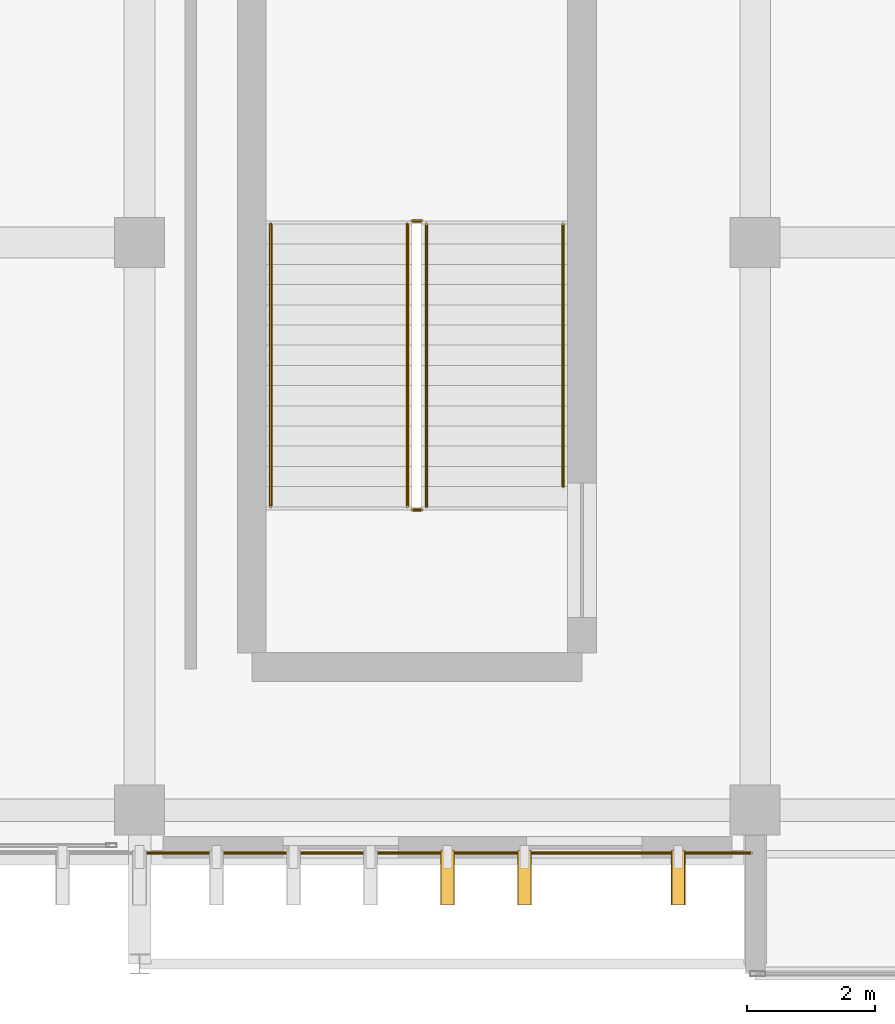
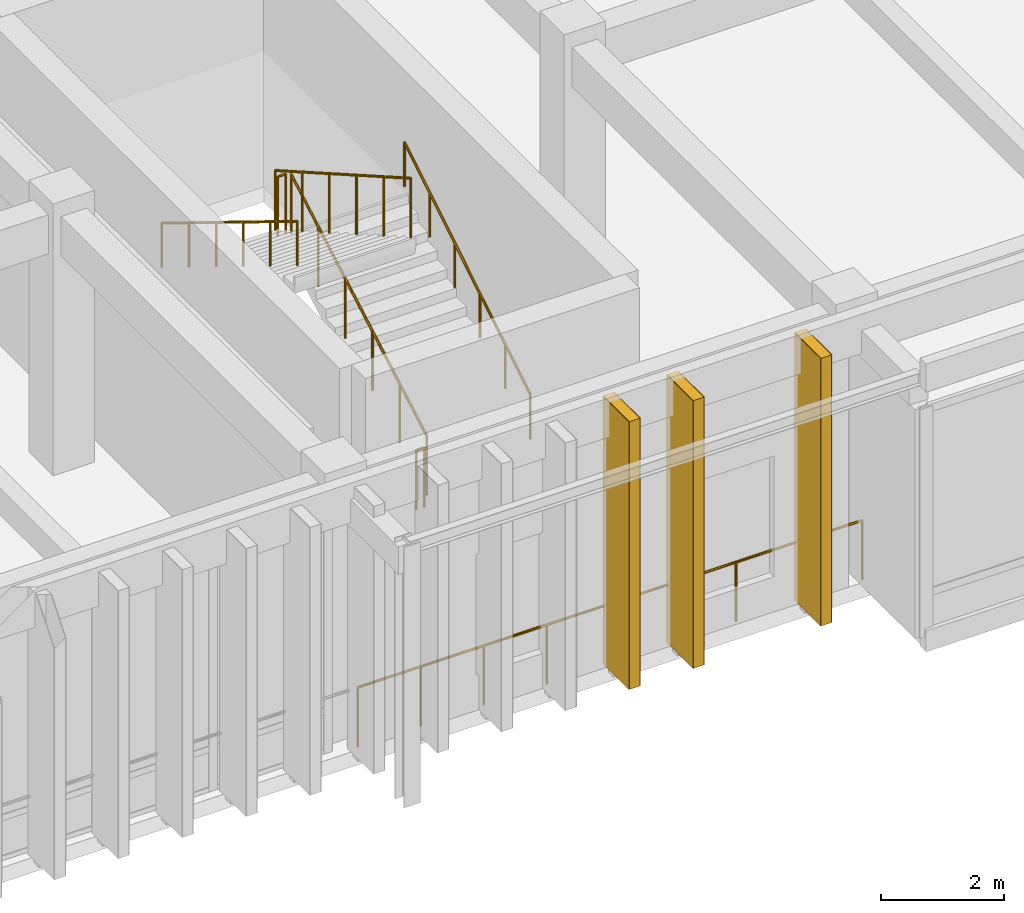
# One storey, part 121 of 134: 7 railings, 3 coverings, 3 shading devices.
"""IFC4 building model written with IfcOpenShell, lengths in metres."""

from ifc_helpers import new_model, si_unit, direction, frame, origin, origin_2d, place, context, subcontext, project, spatial, rectangle, circle, extrude, material, layer, layer_set, type_object, element, save


model = new_model("IFC4")

# Units and contexts
model_context = context("Model", 3, precision=1e-05, world=origin(), true_north=direction((0.0, 1.0)))
body_context = subcontext(model_context, "Body", "Model", "MODEL_VIEW")
ifc_project = project(units=[si_unit("LENGTHUNIT", "METRE"), si_unit("AREAUNIT", "SQUARE_METRE"), si_unit("VOLUMEUNIT", "CUBIC_METRE"), si_unit("PLANEANGLEUNIT", "RADIAN"), si_unit("MASSUNIT", "GRAM", prefix="KILO")], contexts=[model_context])

# Site, building, storey
site_placement = place(None, origin())
site = spatial("IfcSite", under=ifc_project, at=site_placement, CompositionType="ELEMENT")
building_placement = place(site_placement, origin())
building = spatial("IfcBuilding", under=site, at=building_placement, Name="Nakhvara Creek Congress Hotel", CompositionType="ELEMENT")
storey_placement = place(building_placement, frame((0.0, 0.0, 6.0)))
storey = spatial("IfcBuildingStorey", under=building, at=storey_placement, Name="L01", CompositionType="ELEMENT", Elevation=6.0)

# Coverings
ifc_material_1 = material(Name="Honed pale Omani limestone architectural cladding", Category="masonry")
ifc_layer = layer(ifc_material_1, 0.219970703125)
ifc_layer_set = layer_set([ifc_layer], Name="Honed pale Omani limestone architectural cladding")
covering_type = type_object("IfcCoveringType", Name="COV-FIN-850", PredefinedType="CLADDING", material=ifc_layer_set)
for number, where, z_axis, x_axis, name in (
    (1, (120.0, -0.304931640625, 0.0), (0.0, 0.0, 1.0), (1.0, 0.0, 0.0), "Pale Limestone Fin Cladding CF01-0172"),
    (2, (121.199951171875, -0.304931640625, 0.0), (0.0, 0.0, 1.0), (1.0, 0.0, 0.0), "Pale Limestone Fin Cladding CF01-0173"),
    (3, (123.60009765625, -0.304931640625, 0.0), (0.0, 0.0, 1.0), (1.0, 0.0, 0.0), "Pale Limestone Fin Cladding CF01-0174"),
):
    element("IfcCovering", number, at=place(storey_placement, frame(where, z_axis=z_axis, x_axis=x_axis)), inside=storey, type_object=covering_type, Name=name, PredefinedType="CLADDING", context=body_context, shape_type="SweptSolid", body=[
        extrude(rectangle(XDim=0.219970703125, YDim=0.85009765625, at=origin_2d()), origin(), (0.0, 0.0, 1.0), 5.320068359375),
    ])

# Railings
ifc_material_2 = material(Name="Brushed stainless steel 316L", Category="steel")
railing_type_1 = type_object("IfcRailingType", Name="RL-GUARD-1200", PredefinedType="GUARDRAIL", material=ifc_material_2)
railing_1_placement = place(storey_placement, frame((115.260009765625, 0.080078125, 0.0)))
element("IfcRailing", 4, at=railing_1_placement, inside=storey, type_object=railing_type_1, Name="South Spa Facade Safety Rail L01-115", PredefinedType="GUARDRAIL", context=body_context, shape_type="SweptSolid", body=[
    extrude(circle(Radius=0.02392578125, at=origin_2d()), frame((0.0146484375, 0.0, 1.17578125), z_axis=(1.0, 0.0, 0.0), x_axis=(0.0, 1.0, 0.0)), (0.0, 0.0, 1.0), 9.45068359375),
    extrude(circle(Radius=0.02099609375, at=origin_2d()), origin(), (0.0, 0.0, 1.0), 1.1806640625),
    extrude(circle(Radius=0.02099609375, at=origin_2d()), frame((1.18505859375, 0.0, 0.0)), (0.0, 0.0, 1.0), 1.1806640625),
    extrude(circle(Radius=0.02099609375, at=origin_2d()), frame((2.3701171875, 0.0, 0.0)), (0.0, 0.0, 1.0), 1.1806640625),
    extrude(circle(Radius=0.02099609375, at=origin_2d()), frame((3.554931640625, 0.0, 0.0)), (0.0, 0.0, 1.0), 1.1806640625),
    extrude(circle(Radius=0.02099609375, at=origin_2d()), frame((4.739990234375, 0.0, 0.0)), (0.0, 0.0, 1.0), 1.1806640625),
    extrude(circle(Radius=0.02099609375, at=origin_2d()), frame((5.925048828125, 0.0, 0.0)), (0.0, 0.0, 1.0), 1.1806640625),
    extrude(circle(Radius=0.02099609375, at=origin_2d()), frame((7.10986328125, 0.0, 0.0)), (0.0, 0.0, 1.0), 1.1806640625),
    extrude(circle(Radius=0.02099609375, at=origin_2d()), frame((8.294921875, 0.0, 0.0)), (0.0, 0.0, 1.0), 1.1806640625),
    extrude(circle(Radius=0.02099609375, at=origin_2d()), frame((9.47998046875, 0.0, 0.0)), (0.0, 0.0, 1.0), 1.1806640625),
])
railing_2_placement = place(storey_placement, frame((119.675048828125, 5.47998046875, 0.179931640625)))
element("IfcRailing", 5, at=railing_2_placement, inside=storey, type_object=railing_type_1, Name="L01 ST12 stair guard 1", PredefinedType="GUARDRAIL", context=body_context, shape_type="SweptSolid", body=[
    extrude(circle(Radius=0.02392578125, at=origin_2d()), frame((0.0, 0.0126953125, 1.18310546875), z_axis=(0.0, 0.868237226104, 0.49614929125), x_axis=(-1.0, 0.0, 0.0)), (0.0, 0.0, 1.0), 5.0498046875),
    extrude(circle(Radius=0.02099609375, at=origin_2d()), origin(), (0.0, 0.0, 1.0), 1.1806640625),
    extrude(circle(Radius=0.02099609375, at=origin_2d()), frame((0.0, 0.882080078125, 0.50390625)), (0.0, 0.0, 1.0), 1.1806640625),
    extrude(circle(Radius=0.02099609375, at=origin_2d()), frame((0.0, 1.763916015625, 1.008056640625)), (0.0, 0.0, 1.0), 1.1806640625),
    extrude(circle(Radius=0.02099609375, at=origin_2d()), frame((0.0, 2.64599609375, 1.511962890625)), (0.0, 0.0, 1.0), 1.1806640625),
    extrude(circle(Radius=0.02099609375, at=origin_2d()), frame((0.0, 3.52783203125, 2.01611328125)), (0.0, 0.0, 1.0), 1.1806640625),
    extrude(circle(Radius=0.02099609375, at=origin_2d()), frame((0.0, 4.409912109375, 2.52001953125)), (0.0, 0.0, 1.0), 1.1806640625),
])
railing_3_placement = place(storey_placement, frame((119.60009765625, 9.93994140625, 2.699951171875)))
element("IfcRailing", 6, at=railing_3_placement, inside=storey, type_object=railing_type_1, Name="L01 ST12 stair guard 2", PredefinedType="GUARDRAIL", context=body_context, shape_type="SweptSolid", body=[
    extrude(circle(Radius=0.02392578125, at=origin_2d()), frame((-0.0146484375, 0.0, 1.17578125), z_axis=(-1.0, 0.0, 0.0), x_axis=(0.0, -1.0, 0.0)), (0.0, 0.0, 1.0), 0.120849609375),
    extrude(circle(Radius=0.02099609375, at=origin_2d()), origin(), (0.0, 0.0, 1.0), 1.1806640625),
    extrude(circle(Radius=0.02099609375, at=origin_2d()), frame((-0.150146484375, 0.0, 0.0)), (0.0, 0.0, 1.0), 1.1806640625),
])
railing_4_placement = place(storey_placement, frame((119.375, 9.889892578125, 2.8798828125)))
element("IfcRailing", 7, at=railing_4_placement, inside=storey, type_object=railing_type_1, Name="L01 ST12 stair guard 3", PredefinedType="GUARDRAIL", context=body_context, shape_type="SweptSolid", body=[
    extrude(circle(Radius=0.02392578125, at=origin_2d()), frame((0.0, -0.0126953125, 1.18310546875), z_axis=(0.0, -0.868237226104, 0.49614929125), x_axis=(1.0, 0.0, 0.0)), (0.0, 0.0, 1.0), 5.0498046875),
    extrude(circle(Radius=0.02099609375, at=origin_2d()), origin(), (0.0, 0.0, 1.0), 1.1806640625),
    extrude(circle(Radius=0.02099609375, at=origin_2d()), frame((0.0, -0.882080078125, 0.50390625)), (0.0, 0.0, 1.0), 1.1806640625),
    extrude(circle(Radius=0.02099609375, at=origin_2d()), frame((0.0, -1.763916015625, 1.008056640625)), (0.0, 0.0, 1.0), 1.1806640625),
    extrude(circle(Radius=0.02099609375, at=origin_2d()), frame((0.0, -2.64599609375, 1.511962890625)), (0.0, 0.0, 1.0), 1.1806640625),
    extrude(circle(Radius=0.02099609375, at=origin_2d()), frame((0.0, -3.52783203125, 2.01611328125)), (0.0, 0.0, 1.0), 1.1806640625),
    extrude(circle(Radius=0.02099609375, at=origin_2d()), frame((0.0, -4.409912109375, 2.52001953125)), (0.0, 0.0, 1.0), 1.1806640625),
])
railing_5_placement = place(storey_placement, frame((119.60009765625, 5.429931640625, 0.0)))
element("IfcRailing", 8, at=railing_5_placement, inside=storey, type_object=railing_type_1, Name="L01 ST12 stair guard 4", PredefinedType="GUARDRAIL", context=body_context, shape_type="SweptSolid", body=[
    extrude(circle(Radius=0.02392578125, at=origin_2d()), frame((-0.0146484375, 0.0, 1.17578125), z_axis=(-1.0, 0.0, 0.0), x_axis=(0.0, -1.0, 0.0)), (0.0, 0.0, 1.0), 0.120849609375),
    extrude(circle(Radius=0.02099609375, at=origin_2d()), origin(), (0.0, 0.0, 1.0), 1.1806640625),
    extrude(circle(Radius=0.02099609375, at=origin_2d()), frame((-0.150146484375, 0.0, 0.0)), (0.0, 0.0, 1.0), 1.1806640625),
])
railing_type_2 = type_object("IfcRailingType", Name="RL-HAND-900", PredefinedType="HANDRAIL", material=ifc_material_2)
railing_6_placement = place(storey_placement, frame((121.804931640625, 5.794921875, 0.360107421875)))
element("IfcRailing", 9, at=railing_6_placement, inside=storey, type_object=railing_type_2, Name="L01 ST12 stair handrail 1", PredefinedType="HANDRAIL", context=body_context, shape_type="SweptSolid", body=[
    extrude(circle(Radius=0.02392578125, at=origin_2d()), frame((0.0, 0.012451171875, 0.883544921875), z_axis=(0.0, 0.850634571024, 0.52575738376), x_axis=(-1.0, 0.0, 0.0)), (0.0, 0.0, 1.0), 4.78466796875),
    extrude(circle(Radius=0.02099609375, at=origin_2d()), origin(), (0.0, 0.0, 1.0), 0.880615234375),
    extrude(circle(Radius=0.02099609375, at=origin_2d()), frame((0.0, 0.819091796875, 0.506103515625)), (0.0, 0.0, 1.0), 0.880615234375),
    extrude(circle(Radius=0.02099609375, at=origin_2d()), frame((0.0, 1.637939453125, 1.012451171875)), (0.0, 0.0, 1.0), 0.880615234375),
    extrude(circle(Radius=0.02099609375, at=origin_2d()), frame((0.0, 2.45703125, 1.5185546875)), (0.0, 0.0, 1.0), 0.880615234375),
    extrude(circle(Radius=0.02099609375, at=origin_2d()), frame((0.0, 3.27587890625, 2.02490234375)), (0.0, 0.0, 1.0), 0.880615234375),
    extrude(circle(Radius=0.02099609375, at=origin_2d()), frame((0.0, 4.094970703125, 2.531005859375)), (0.0, 0.0, 1.0), 0.880615234375),
])
railing_7_placement = place(storey_placement, frame((117.2451171875, 9.889892578125, 2.8798828125)))
element("IfcRailing", 10, at=railing_7_placement, inside=storey, type_object=railing_type_2, Name="L01 ST12 stair handrail 2", PredefinedType="HANDRAIL", context=body_context, shape_type="SweptSolid", body=[
    extrude(circle(Radius=0.02392578125, at=origin_2d()), frame((0.0, -0.012451171875, 0.883544921875), z_axis=(0.0, -0.851883319301, 0.523731620486), x_axis=(1.0, 0.0, 0.0)), (0.0, 0.0, 1.0), 5.147216796875),
    extrude(circle(Radius=0.02099609375, at=origin_2d()), origin(), (0.0, 0.0, 1.0), 0.880615234375),
    extrude(circle(Radius=0.02099609375, at=origin_2d()), frame((0.0, -0.882080078125, 0.542236328125)), (0.0, 0.0, 1.0), 0.880615234375),
    extrude(circle(Radius=0.02099609375, at=origin_2d()), frame((0.0, -1.763916015625, 1.08447265625)), (0.0, 0.0, 1.0), 0.880615234375),
    extrude(circle(Radius=0.02099609375, at=origin_2d()), frame((0.0, -2.64599609375, 1.626708984375)), (0.0, 0.0, 1.0), 0.880615234375),
    extrude(circle(Radius=0.02099609375, at=origin_2d()), frame((0.0, -3.52783203125, 2.1689453125)), (0.0, 0.0, 1.0), 0.880615234375),
    extrude(circle(Radius=0.02099609375, at=origin_2d()), frame((0.0, -4.409912109375, 2.711181640625)), (0.0, 0.0, 1.0), 0.880615234375),
])

# Shading devices
ifc_material_3 = material(Name="Honed pale Omani limestone cladding on stainless steel spine", Category="masonry")
shading_device_type = type_object("IfcShadingDeviceType", Name="SHD-FIN-850X4700", PredefinedType="USERDEFINED", material=ifc_material_3)
for number, where, z_axis, x_axis, name in (
    (11, (120.0, -0.304931640625, 0.0), (0.0, 0.0, 1.0), (1.0, 0.0, 0.0), "Limestone Solar Fin FN02-0172"),
    (12, (121.199951171875, -0.304931640625, 0.0), (0.0, 0.0, 1.0), (1.0, 0.0, 0.0), "Limestone Solar Fin FN02-0173"),
    (13, (123.60009765625, -0.304931640625, 0.0), (0.0, 0.0, 1.0), (1.0, 0.0, 0.0), "Limestone Solar Fin FN02-0174"),
):
    element("IfcShadingDevice", number, at=place(storey_placement, frame(where, z_axis=z_axis, x_axis=x_axis)), inside=storey, type_object=shading_device_type, Name=name, ObjectType="FIN", PredefinedType="USERDEFINED", context=body_context, shape_type="SweptSolid", body=[
        extrude(rectangle(XDim=0.199951171875, YDim=0.85009765625, at=origin_2d()), origin(), (0.0, 0.0, 1.0), 5.320068359375),
    ])

save(model, "model.ifc")
